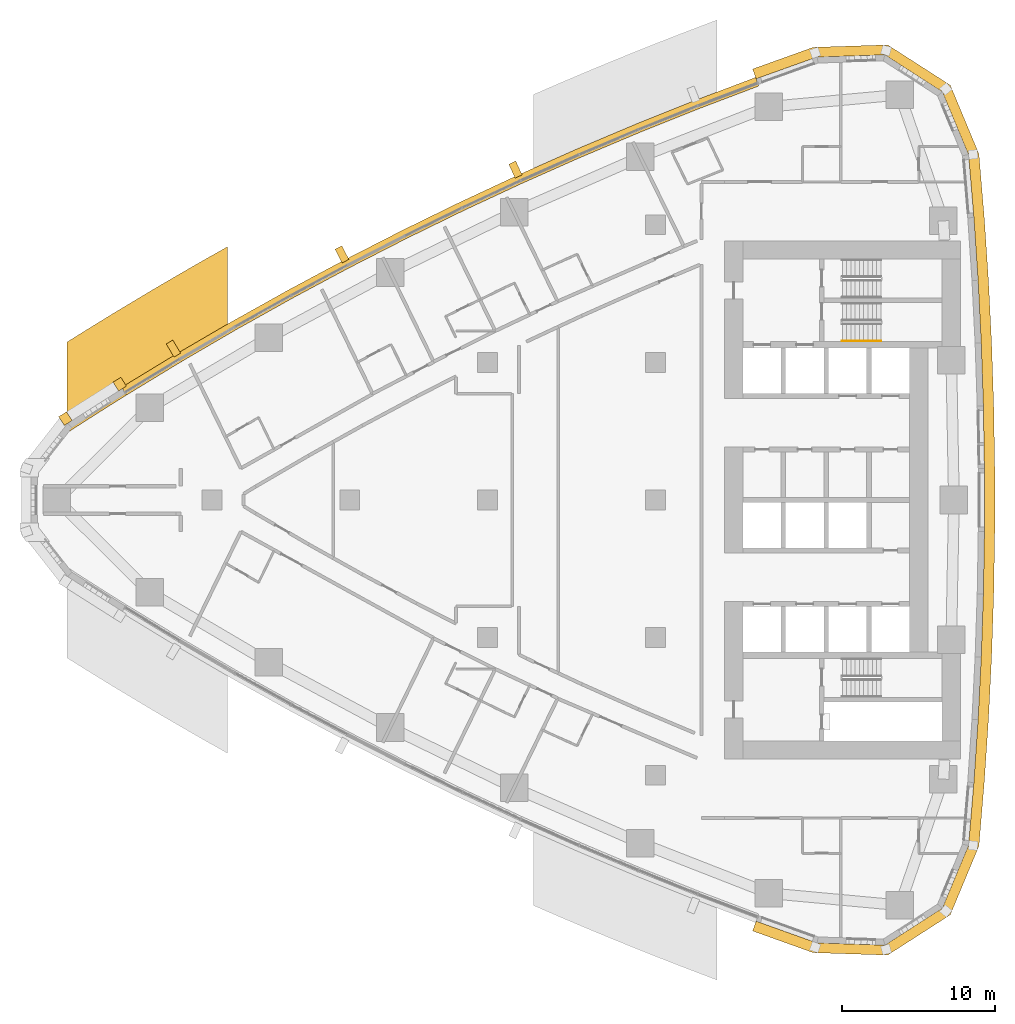
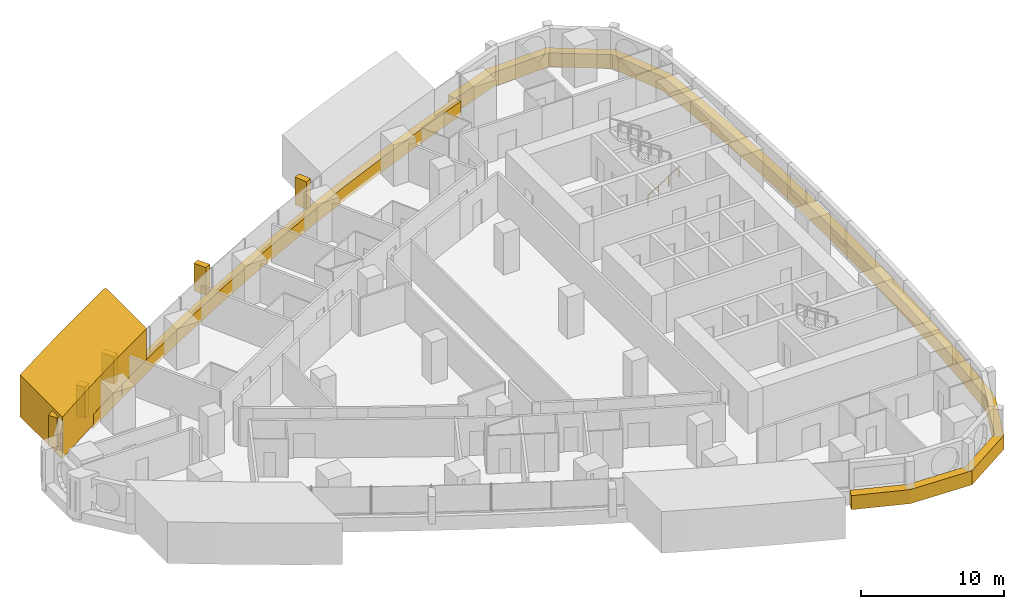
# One storey, part 17 of 19: 8 coverings, 1 railing.
"""IFC4 building model written with IfcOpenShell, lengths in metres."""

from ifc_helpers import new_model, si_unit, direction, frame, frame_2d, origin, origin_2d, place, context, subcontext, project, spatial, polyline, rectangle, circle, outline, extrude, material, layer, layer_set, type_object, element, save


model = new_model("IFC4")

# Units and contexts
model_context = context("Model", 3, precision=1e-05, world=origin(), true_north=direction((0.0, 1.0)))
body_context = subcontext(model_context, "Body", "Model", "MODEL_VIEW")
ifc_project = project(units=[si_unit("LENGTHUNIT", "METRE"), si_unit("AREAUNIT", "SQUARE_METRE"), si_unit("VOLUMEUNIT", "CUBIC_METRE"), si_unit("PLANEANGLEUNIT", "RADIAN"), si_unit("MASSUNIT", "GRAM", prefix="KILO")], contexts=[model_context])

# Site, building, storey
site_placement = place(None, origin())
site = spatial("IfcSite", under=ifc_project, at=site_placement, CompositionType="ELEMENT")
building_placement = place(site_placement, origin())
building = spatial("IfcBuilding", under=site, at=building_placement, Name="Ostrand Prow Hotel Tower", CompositionType="ELEMENT")
storey_placement = place(building_placement, frame((0.0, 0.0, 43.14990234375)))
storey = spatial("IfcBuildingStorey", under=building, at=storey_placement, Name="L08", CompositionType="ELEMENT", Elevation=43.14990234375)

# Coverings
ifc_material_1 = material(Name="Bronze anodised aluminium cladding", Category="aluminium")
ifc_layer_1 = layer(ifc_material_1, 0.60009765625)
ifc_layer_set_1 = layer_set([ifc_layer_1], Name="Bronze anodised aluminium cladding")
covering_type_1 = type_object("IfcCoveringType", Name="Bronze spandrel band 1200x600", PredefinedType="CLADDING", material=ifc_layer_set_1)
covering_1_placement = place(storey_placement, frame((0.0, 0.0, -0.2998046875)))
element("IfcCovering", 1, at=covering_1_placement, inside=storey, type_object=covering_type_1, Name="Spandrel band N1", PredefinedType="CLADDING", context=body_context, shape_type="SweptSolid", body=[
    extrude(outline(polyline([(51.5361328125, 27.6328125), (47.607666015625, 26.142578125), (43.70751953125, 24.580078125), (39.83642578125, 22.946044921875), (35.996337890625, 21.2412109375), (32.188232421875, 19.4658203125), (28.413330078125, 17.62060546875), (24.673095703125, 15.70654296875), (20.968994140625, 13.723876953125), (17.301513671875, 11.673095703125), (13.672607421875, 9.555419921875), (10.08349609375, 7.371337890625), (10.39990234375, 6.86181640625), (13.97998046875, 9.0400390625), (17.59912109375, 11.152099609375), (21.2568359375, 13.197509765625), (24.951416015625, 15.1748046875), (28.681884765625, 17.083984375), (32.44677734375, 18.92431640625), (36.244873046875, 20.695068359375), (40.074951171875, 22.3955078125), (43.935791015625, 24.025146484375), (47.82568359375, 25.58349609375), (51.743896484375, 27.070068359375), (51.5361328125, 27.6328125)])), origin(), (0.0, 0.0, 1.0), 1.199951171875),
])
covering_2_placement = place(storey_placement, frame((0.0, 0.0, -0.2998046875)))
element("IfcCovering", 2, at=covering_2_placement, inside=storey, type_object=covering_type_1, Name="Spandrel band back 1", PredefinedType="CLADDING", context=body_context, shape_type="SweptSolid", body=[
    extrude(outline(polyline([(51.335205078125, -28.177001953125), (55.300537109375, -29.5986328125), (60.16796875, -29.758056640625), (64.26318359375, -27.123046875), (66.13525390625, -22.627197265625), (66.48046875, -18.521728515625), (66.756591796875, -14.411376953125), (66.964111328125, -10.296630859375), (67.102294921875, -6.17919921875), (67.17138671875, -2.059814453125), (67.17138671875, 2.059814453125), (67.102294921875, 6.17919921875), (66.964111328125, 10.296630859375), (66.756591796875, 14.411376953125), (66.48046875, 18.521728515625), (66.13525390625, 22.627197265625), (64.26318359375, 27.123046875), (60.16796875, 29.758056640625), (55.300537109375, 29.5986328125), (51.335205078125, 28.177001953125), (51.57080078125, 27.5390625), (55.524169921875, 28.956298828125), (59.98681640625, 29.1025390625), (63.74169921875, 26.6865234375), (65.4580078125, 22.564453125), (65.802490234375, 18.470458984375), (66.077880859375, 14.371337890625), (66.28466796875, 10.26806640625), (66.422607421875, 6.162109375), (66.491455078125, 2.05419921875), (66.491455078125, -2.05419921875), (66.422607421875, -6.162109375), (66.28466796875, -10.26806640625), (66.077880859375, -14.371337890625), (65.802490234375, -18.470458984375), (65.4580078125, -22.564453125), (63.74169921875, -26.6865234375), (59.98681640625, -29.1025390625), (55.524169921875, -28.956298828125), (51.57080078125, -27.5390625), (51.335205078125, -28.177001953125)])), origin(), (0.0, 0.0, 1.0), 1.199951171875),
])
ifc_material_2 = material(Name="Limestone cladding", Category="masonry")
ifc_layer_2 = layer(ifc_material_2, 5.0)
ifc_layer_set_2 = layer_set([ifc_layer_2], Name="Limestone cladding")
covering_type_2 = type_object("IfcCoveringType", Name="Portal jamb pilaster limestone", PredefinedType="CLADDING", material=ifc_layer_set_2)
covering_3_placement = place(storey_placement, origin())
element("IfcCovering", 3, at=covering_3_placement, inside=storey, type_object=covering_type_2, Name="Portal jamb NA L08", PredefinedType="CLADDING", context=body_context, shape_type="SweptSolid", body=[
    extrude(outline(polyline([(6.5, 4.3837890625), (7.45458984375, 5.00048828125), (8.4091796875, 5.610595703125), (9.363525390625, 6.214111328125), (10.318115234375, 6.810791015625), (11.272705078125, 7.401123046875), (12.227294921875, 7.98486328125), (13.181884765625, 8.562255859375), (14.136474609375, 9.13330078125), (15.0908203125, 9.697998046875), (16.04541015625, 10.25634765625), (17.0, 10.80859375), (17.0, 16.556640625), (16.04541015625, 16.020263671875), (15.0908203125, 15.4775390625), (14.136474609375, 14.92919921875), (13.181884765625, 14.37451171875), (12.227294921875, 13.81396484375), (11.272705078125, 13.247314453125), (10.318115234375, 12.67431640625), (9.363525390625, 12.09521484375), (8.4091796875, 11.509521484375), (7.45458984375, 10.917724609375), (6.5, 10.319580078125), (6.5, 4.3837890625)])), origin(), (0.0, 0.0, 1.0), 3.550048828125),
])
ifc_material_3 = material(Name="Limestone cladding", Category="masonry")
ifc_layer_3 = layer(ifc_material_3, 0.5)
ifc_layer_set_3 = layer_set([ifc_layer_3], Name="Limestone cladding")
covering_type_3 = type_object("IfcCoveringType", Name="Precast stone fin 500x900", PredefinedType="CLADDING", material=ifc_layer_set_3)
for number, where, z_axis, x_axis, name in (
    (4, (36.037841796875, 21.150146484375, 0.900146484375), (0.0, 0.0, 1.0), (-0.414299516417, 0.910140599411, 0.0), "Stone fin N 5"),
    (5, (24.719482421875, 15.617919921875, 0.900146484375), (0.0, 0.0, 1.0), (-0.463642032659, 0.886022610068, 0.0), "Stone fin N 8"),
    (6, (13.723876953125, 9.469482421875, 0.900146484375), (0.0, 0.0, 1.0), (-0.511908673433, 0.859039876877, 0.0), "Stone fin N 11"),
):
    element("IfcCovering", number, at=place(storey_placement, frame(where, z_axis=z_axis, x_axis=x_axis)), inside=storey, type_object=covering_type_3, Name=name, PredefinedType="CLADDING", context=body_context, shape_type="SweptSolid", body=[
        extrude(rectangle(XDim=1.0, YDim=0.5, at=frame_2d((0.5, 0.0))), origin(), (0.0, 0.0, 1.0), 2.349853515625),
    ])
ifc_material_4 = material(Name="Limestone cladding", Category="masonry")
ifc_layer_4 = layer(ifc_material_4, 0.60009765625)
ifc_layer_set_4 = layer_set([ifc_layer_4], Name="Limestone cladding")
covering_type_4 = type_object("IfcCoveringType", Name="Precast stone prow rib 600x600", PredefinedType="CLADDING", material=ifc_layer_set_4)
for number, where, z_axis, x_axis, name in (
    (7, (10.13623046875, 7.286376953125, 0.60009765625), (0.0, 0.0, 1.0), (-0.527738148304, 0.849407114889, 0.0), "Stone prow rib 1"),
    (8, (6.589111328125, 5.03759765625, 0.60009765625), (0.0, 0.0, 1.0), (-0.543295944087, 0.839541253983, 0.0), "Stone prow rib 2"),
):
    element("IfcCovering", number, at=place(storey_placement, frame(where, z_axis=z_axis, x_axis=x_axis)), inside=storey, type_object=covering_type_4, Name=name, PredefinedType="CLADDING", context=body_context, shape_type="SweptSolid", body=[
        extrude(rectangle(XDim=0.679931640625, YDim=0.60009765625, at=frame_2d((0.33984375, 0.0))), origin(), (0.0, 0.0, 1.0), 2.64990234375),
    ])

# Railing
ifc_material_5 = material(Name="Stainless steel", Category="steel")
railing_type = type_object("IfcRailingType", Name="Stair handrail 900", PredefinedType="HANDRAIL", material=ifc_material_5)
railing_placement = place(storey_placement, frame((57.199951171875, 10.39990234375, 0.177490234375)))
element("IfcRailing", 9, at=railing_placement, inside=storey, type_object=railing_type, Name="L08 ST1C stair handrail 1", PredefinedType="HANDRAIL", context=body_context, shape_type="SweptSolid", body=[
    extrude(circle(Radius=0.02392578125, at=origin_2d()), frame((0.0, 0.0, 0.8759765625), z_axis=(0.84456994832, 0.0, 0.535445237532), x_axis=(0.0, 1.0, 0.0)), (0.0, 0.0, 1.0), 2.98388671875),
    extrude(circle(Radius=0.02099609375, at=origin_2d()), origin(), (0.0, 0.0, 1.0), 0.851806640625),
    extrude(circle(Radius=0.02099609375, at=origin_2d()), frame((0.840087890625, 0.0, 0.532470703125)), (0.0, 0.0, 1.0), 0.851806640625),
    extrude(circle(Radius=0.02099609375, at=origin_2d()), frame((1.679931640625, 0.0, 1.065185546875)), (0.0, 0.0, 1.0), 0.851806640625),
    extrude(circle(Radius=0.02099609375, at=origin_2d()), frame((2.52001953125, 0.0, 1.59765625)), (0.0, 0.0, 1.0), 0.851806640625),
])

save(model, "model.ifc")
